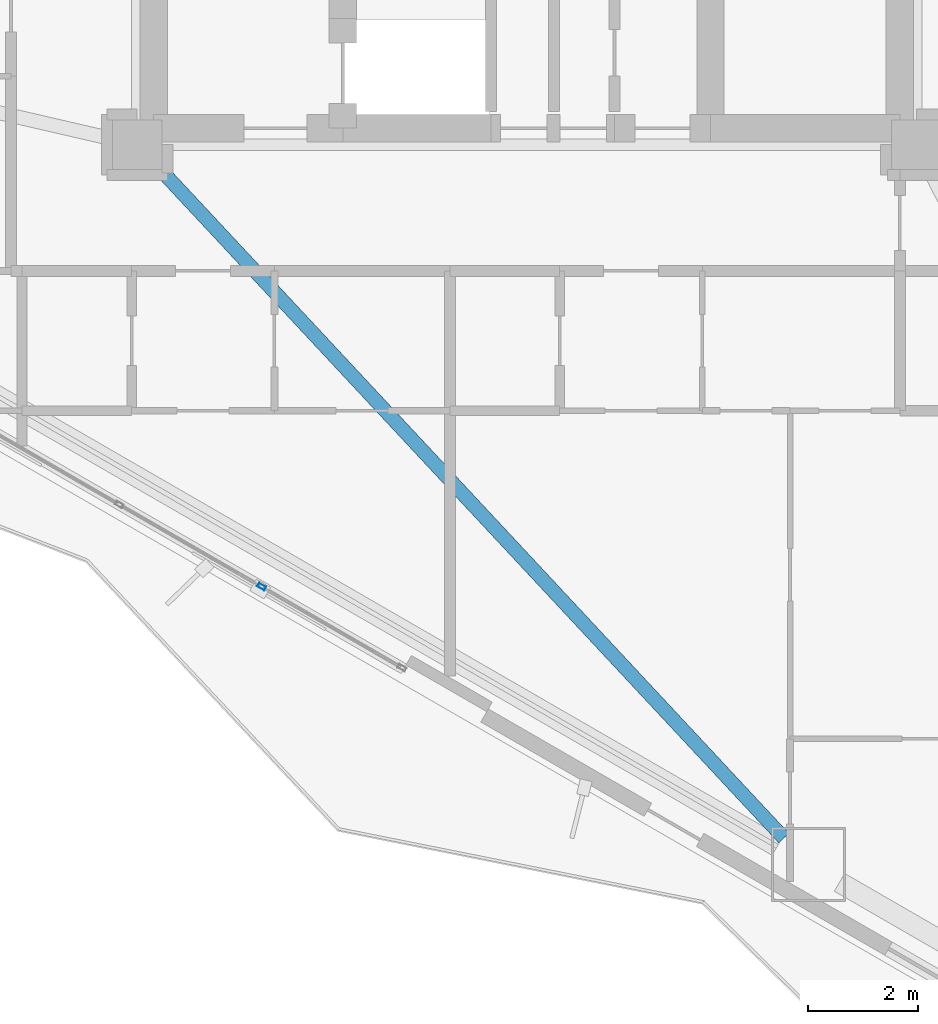
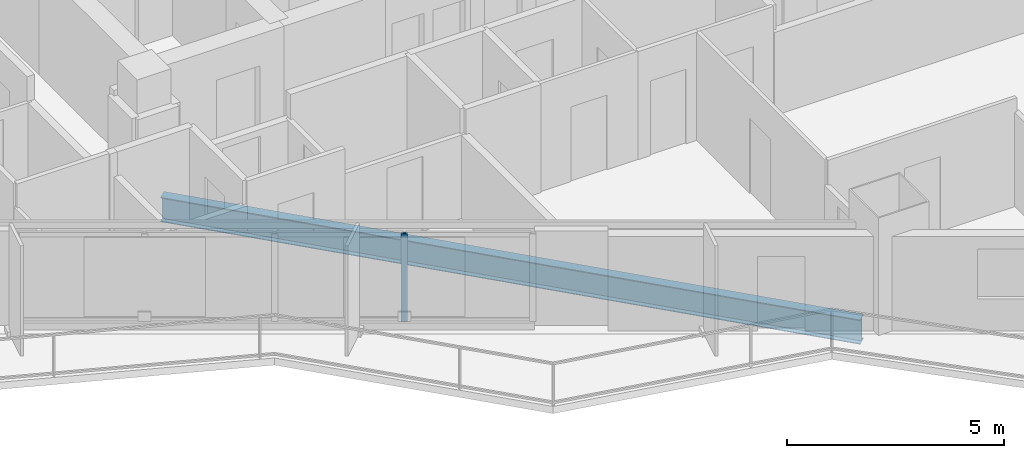
# One storey, part 4 of 18: 1 beam, 1 member, 1 element without a shape of its own.
"""IFC4 building model written with IfcOpenShell, lengths in metres."""

import ifcopenshell
import ifcopenshell.guid

model = None  # the IFC model being written
_history = None  # IfcOwnerHistory: only IFC2X3 demands one
_inside = {}  # id of a spatial element -> (the spatial element, [elements in it])
_under = {}  # id of a project, library or spatial element -> (it, [spatial elements below it])
_declared = {}  # id of a project -> (the project, [libraries it declares])
_typed = {}  # id of a type object -> (the type object, [elements of that type])
_made_of = {}  # id of a material, layer set ... -> (it, [elements and type objects made of it])


def new_model(schema):
    """Start an empty IFC model of exactly this schema.

    Asked for "IFC4X3", IfcOpenShell would pick the latest addendum, in which some entities
    have other attributes; the version numbers below select the first issue.
    IFC2X3 requires an IfcOwnerHistory on every rooted entity: one is made here for all.
    """
    global model, _history
    if schema == "IFC4X3":
        model = ifcopenshell.file(schema_version=(4, 3, 0, 0))
    else:
        model = ifcopenshell.file(schema=schema)
    _inside.clear()
    _under.clear()
    _declared.clear()
    _typed.clear()
    _made_of.clear()
    _history = None
    if model.schema == "IFC2X3":
        org = make("IfcOrganization", Name="unknown")
        user = make(
            "IfcPersonAndOrganization",
            ThePerson=make("IfcPerson", FamilyName="unknown"),
            TheOrganization=org,
        )
        app = make(
            "IfcApplication",
            ApplicationDeveloper=org,
            Version="unknown",
            ApplicationFullName="unknown",
            ApplicationIdentifier="unknown",
        )
        _history = make(
            "IfcOwnerHistory",
            OwningUser=user,
            OwningApplication=app,
            ChangeAction="ADDED",
            CreationDate=0,
        )
    return model


def make(cls, **values):
    """One entity of the class cls with the attributes given. An attribute that is None is left unset."""
    return model.create_entity(
        cls, **{name: value for name, value in values.items() if value is not None}
    )


def rooted(cls, **values):
    """An entity with a GlobalId (a new one), such as an element, a storey or a relation."""
    return make(cls, GlobalId=ifcopenshell.guid.new(), OwnerHistory=_history, **values)


def si_unit(unit_type, name, prefix=None):
    """IfcSIUnit, for example si_unit("LENGTHUNIT", "METRE", prefix="MILLI")."""
    return make("IfcSIUnit", UnitType=unit_type, Prefix=prefix, Name=name)


def assignment(units):
    """IfcUnitAssignment: the units of a project."""
    return None if units is None else make("IfcUnitAssignment", Units=units)


def point(xyz):
    """IfcCartesianPoint."""
    return None if xyz is None else make("IfcCartesianPoint", Coordinates=xyz)


def direction(xyz):
    """IfcDirection."""
    return None if xyz is None else make("IfcDirection", DirectionRatios=xyz)


def frame(location, z_axis=None, x_axis=None):
    """IfcAxis2Placement3D, a coordinate frame: its origin and axes. An axis left out is left unset."""
    return make(
        "IfcAxis2Placement3D",
        Location=point(location),
        Axis=direction(z_axis),
        RefDirection=direction(x_axis),
    )


def frame_2d(location, x_axis=None):
    """IfcAxis2Placement2D, a coordinate frame in the plane: its origin and x axis."""
    return make(
        "IfcAxis2Placement2D", Location=point(location), RefDirection=direction(x_axis)
    )


def origin():
    """The frame at (0, 0, 0) with its axes left unset."""
    return frame((0.0, 0.0, 0.0))


def origin_2d():
    """The frame at (0, 0) in the plane with its x axis left unset."""
    return frame_2d((0.0, 0.0))


def place(relative_to, where):
    """IfcLocalPlacement: puts the frame where relative to a parent placement (None: the world)."""
    return make(
        "IfcLocalPlacement", PlacementRelTo=relative_to, RelativePlacement=where
    )


def context(
    kind, dimensions, precision=None, world=None, true_north=None, identifier=None
):
    """IfcGeometricRepresentationContext, for example the 3D "Model" context."""
    return make(
        "IfcGeometricRepresentationContext",
        ContextIdentifier=identifier,
        ContextType=kind,
        CoordinateSpaceDimension=dimensions,
        Precision=precision,
        WorldCoordinateSystem=world,
        TrueNorth=true_north,
    )


def subcontext(parent, identifier, kind, view, scale=None):
    """IfcGeometricRepresentationSubContext, for example "Body" below "Model"."""
    return make(
        "IfcGeometricRepresentationSubContext",
        ContextIdentifier=identifier,
        ContextType=kind,
        ParentContext=parent,
        TargetScale=scale,
        TargetView=view,
    )


def project(units=None, contexts=None):
    """IfcProject with its units and contexts."""
    return rooted(
        "IfcProject",
        Name="project",
        RepresentationContexts=contexts,
        UnitsInContext=assignment(units),
    )


def spatial(cls, under=None, at=None, **own):
    """A site, building, storey or space (cls), placed at a placement, below another one or the project."""
    s = rooted(cls, ObjectPlacement=at, **own)
    if under is not None:
        _under.setdefault(under.id(), (under, []))[1].append(s)
    return s


def profile(cls, at=None, kind="AREA", **sizes):
    """A parametric profile (cls). Its sizes go by their IFC names, for example OverallWidth=200.0."""
    return make(cls, ProfileType=kind, Position=at, **sizes)


def hollow_rectangle(**sizes):
    """IfcRectangleHollowProfileDef."""
    return profile("IfcRectangleHollowProfileDef", **sizes)


def i_section(**sizes):
    """IfcIShapeProfileDef."""
    return profile("IfcIShapeProfileDef", **sizes)


def extrude(swept, where, along, depth):
    """IfcExtrudedAreaSolid: the profile swept, set in the frame where, extruded along a direction by depth."""
    return make(
        "IfcExtrudedAreaSolid",
        SweptArea=swept,
        Position=where,
        ExtrudedDirection=direction(along),
        Depth=depth,
    )


def shape(context_of_items, identifier, shape_type, items):
    """IfcShapeRepresentation: the items that make up one representation, for example the "Body"."""
    return make(
        "IfcShapeRepresentation",
        ContextOfItems=context_of_items,
        RepresentationIdentifier=identifier,
        RepresentationType=shape_type,
        Items=items,
    )


def material(Name=None, Category=None):
    """IfcMaterial."""
    return make("IfcMaterial", Name=Name, Category=Category)


def layer(
    of_material, thickness, ventilated=None, Name=None, Category=None, Priority=None
):
    """IfcMaterialLayer: one layer of a wall or slab, of a material (None: an air gap)."""
    return make(
        "IfcMaterialLayer",
        Material=of_material,
        LayerThickness=thickness,
        IsVentilated=ventilated,
        Name=Name,
        Category=Category,
        Priority=Priority,
    )


def layer_set(layers, Name=None):
    """IfcMaterialLayerSet."""
    return make("IfcMaterialLayerSet", MaterialLayers=layers, LayerSetName=Name)


def material_profile(
    of_material, cross_section, Name=None, Category=None, Priority=None
):
    """IfcMaterialProfile: a cross section and its material."""
    return make(
        "IfcMaterialProfile",
        Name=Name,
        Material=of_material,
        Profile=cross_section,
        Priority=Priority,
        Category=Category,
    )


def profile_set(profiles, Name=None, composite=None):
    """IfcMaterialProfileSet."""
    return make(
        "IfcMaterialProfileSet",
        Name=Name,
        MaterialProfiles=profiles,
        CompositeProfile=composite,
    )


def made_of(thing, what):
    """Note that an element or type object is made of a material, layer set ...; save() writes the relation."""
    if what is not None:
        _made_of.setdefault(what.id(), (what, []))[1].append(thing)
    return thing


def type_object(cls, material=None, **own):
    """A type object (cls), such as IfcWallType, which elements share."""
    return made_of(rooted(cls, **own), material)


def element(
    cls,
    number,
    at=None,
    inside=None,
    cuts=None,
    type_object=None,
    material=None,
    context=None,
    identifier="Body",
    shape_type=None,
    held_by="IfcProductDefinitionShape",
    body=None,
    shapes=None,
    **own,
):
    """One element of the class cls, such as IfcWall. Its Tag is "e" and its number.

    at: its placement. inside: the storey or other place that contains it. cuts: it is an
    opening in that element (IfcRelVoidsElement). A single representation is given by context,
    identifier, shape_type and body (its items); several are given by shapes. held_by: the class
    of the entity that holds the representations. save() writes the other relations.
    """
    e = rooted(cls, Tag="e%d" % number, ObjectPlacement=at, **own)
    if body is not None:
        shapes = [shape(context, identifier, shape_type, body)]
    if shapes is not None:
        e.Representation = make(held_by, Representations=shapes)
    if inside is not None:
        _inside.setdefault(inside.id(), (inside, []))[1].append(e)
    if cuts is not None:
        rooted(
            "IfcRelVoidsElement", RelatingBuildingElement=cuts, RelatedOpeningElement=e
        )
    if type_object is not None:
        _typed.setdefault(type_object.id(), (type_object, []))[1].append(e)
    return made_of(e, material)


def aggregate(whole, parts):
    """IfcRelAggregates: a whole, such as a stair, and the parts it consists of."""
    return rooted("IfcRelAggregates", RelatingObject=whole, RelatedObjects=parts)


def save(model, path):
    """Write the relations noted so far, then the file.

    IfcRelAggregates (storeys below a building ...), IfcRelContainedInSpatialStructure (elements
    in a storey), IfcRelDefinesByType, IfcRelAssociatesMaterial and IfcRelDeclares: one each for
    every whole, place, type object, material and project.
    """
    for whole, parts in _under.values():
        aggregate(whole, parts)
    for where, things in _inside.values():
        rooted(
            "IfcRelContainedInSpatialStructure",
            RelatedElements=things,
            RelatingStructure=where,
        )
    for kind, things in _typed.values():
        rooted("IfcRelDefinesByType", RelatedObjects=things, RelatingType=kind)
    for what, things in _made_of.values():
        rooted("IfcRelAssociatesMaterial", RelatedObjects=things, RelatingMaterial=what)
    for by, libraries in _declared.values():
        rooted("IfcRelDeclares", RelatingContext=by, RelatedDefinitions=libraries)
    model.write(path)


model = new_model("IFC4")

# Units and contexts
model_context = context("Model", 3, precision=1e-05, world=origin(), true_north=direction((0.0, 1.0)))
body_context = subcontext(model_context, "Body", "Model", "MODEL_VIEW")
ifc_project = project(units=[si_unit("LENGTHUNIT", "METRE"), si_unit("AREAUNIT", "SQUARE_METRE"), si_unit("VOLUMEUNIT", "CUBIC_METRE"), si_unit("PLANEANGLEUNIT", "RADIAN"), si_unit("MASSUNIT", "GRAM", prefix="KILO")], contexts=[model_context])

# Site, building, storey
site_placement = place(None, origin())
site = spatial("IfcSite", under=ifc_project, at=site_placement, CompositionType="ELEMENT")
building_placement = place(site_placement, origin())
building = spatial("IfcBuilding", under=site, at=building_placement, Name="Mersakhor Tower and Convention Hall", CompositionType="ELEMENT")
storey_placement = place(building_placement, frame((0.0, 0.0, 52.199951171875)))
storey = spatial("IfcBuildingStorey", under=building, at=storey_placement, Name="L14", CompositionType="ELEMENT", Elevation=52.199951171875)

# Beam
ifc_material_1 = material(Name="Steel S355", Category="steel")
ifc_material_profile_1 = material_profile(ifc_material_1, i_section(OverallWidth=0.25439453125, OverallDepth=0.6875, WebThickness=0.01318359375, FlangeThickness=0.02099609375, at=origin_2d()), Name="UB 686x254x152")
ifc_profile_set_1 = profile_set([ifc_material_profile_1], Name="Steel S355")
beam_type = type_object("IfcBeamType", Name="BM-PR-686", PredefinedType="BEAM", material=ifc_profile_set_1)
beam_placement = place(storey_placement, frame((22.193359375, 20.135498046875, -0.603759765625), z_axis=(0.68200435324, -0.731348112845, 0.0), x_axis=(0.731348112845, 0.68200435324, 0.0)))
element("IfcBeam", 1, at=beam_placement, inside=storey, type_object=beam_type, Name="L14 Primary Floor Girder FG-5", PredefinedType="BEAM", context=body_context, shape_type="SweptSolid", body=[
    extrude(i_section(OverallWidth=0.25439453125, OverallDepth=0.6875, WebThickness=0.01318359375, FlangeThickness=0.02099609375, at=origin_2d()), origin(), (0.0, 0.0, 1.0), 16.85205078125),
])

# Curtain wall, member
ifc_material_2 = material(Name="Dark solar low-E aluminium curtain wall", Category="aluminium")
ifc_layer = layer(ifc_material_2, 0.159912109375)
ifc_layer_set = layer_set([ifc_layer], Name="Dark solar low-E aluminium curtain wall")
curtain_wall_type = type_object("IfcCurtainWallType", Name="CW-SYS-01", PredefinedType="USERDEFINED", material=ifc_layer_set)
curtain_wall_placement = place(storey_placement, origin())
curtain_wall = element("IfcCurtainWall", 2, at=curtain_wall_placement, inside=storey, type_object=curtain_wall_type, Name="L14 Dark-Glass Curtain Wall F3-B2", ObjectType="CURTAIN WALL", PredefinedType="USERDEFINED")
ifc_material_3 = material(Name="Anodised aluminium EN AW-6063 T6", Category="aluminium")
ifc_material_profile_2 = material_profile(ifc_material_3, hollow_rectangle(XDim=0.074951171875, YDim=0.14990234375, WallThickness=0.00634765625, at=origin_2d()), Name="RHS 150x75x6.3")
ifc_profile_set_2 = profile_set([ifc_material_profile_2], Name="Anodised aluminium EN AW-6063 T6")
member_type = type_object("IfcMemberType", Name="CWM-150x75", PredefinedType="MULLION", material=ifc_profile_set_2)
member_placement = place(storey_placement, frame((24.167236328125, 12.392822265625, 0.199951171875), z_axis=(0.0, 0.0, 1.0), x_axis=(-0.50000344889, -0.866023412558, 0.0)))
member = element("IfcMember", 3, at=member_placement, type_object=member_type, Name="CW-01 mullion 2", PredefinedType="MULLION", context=body_context, shape_type="SweptSolid", body=[
    extrude(hollow_rectangle(XDim=0.074951171875, YDim=0.14990234375, WallThickness=0.00634765625, at=origin_2d()), origin(), (0.0, 0.0, 1.0), 2.460205078125),
])
aggregate(curtain_wall, [member])

save(model, "model.ifc")
